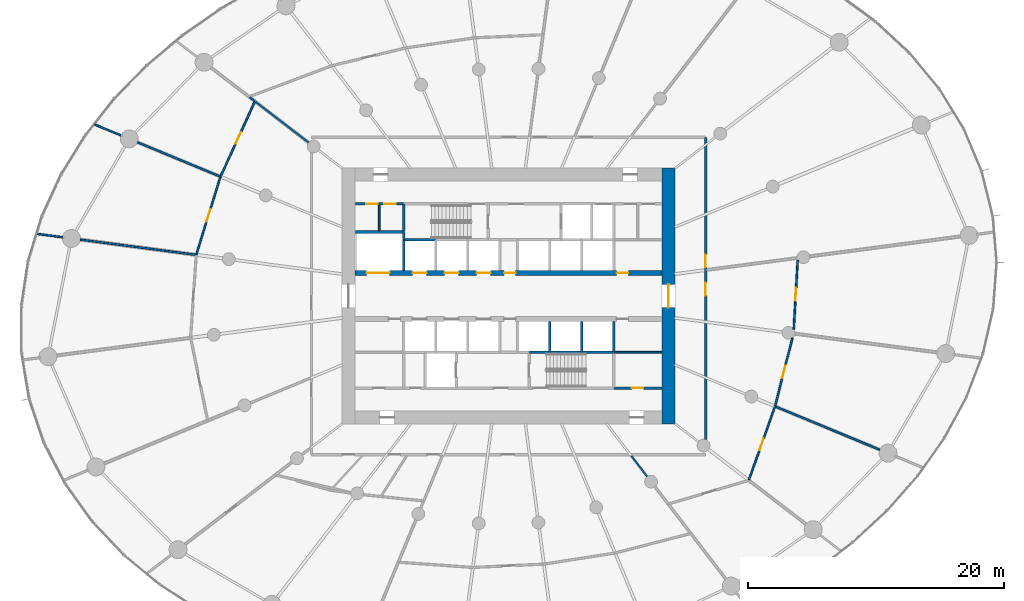
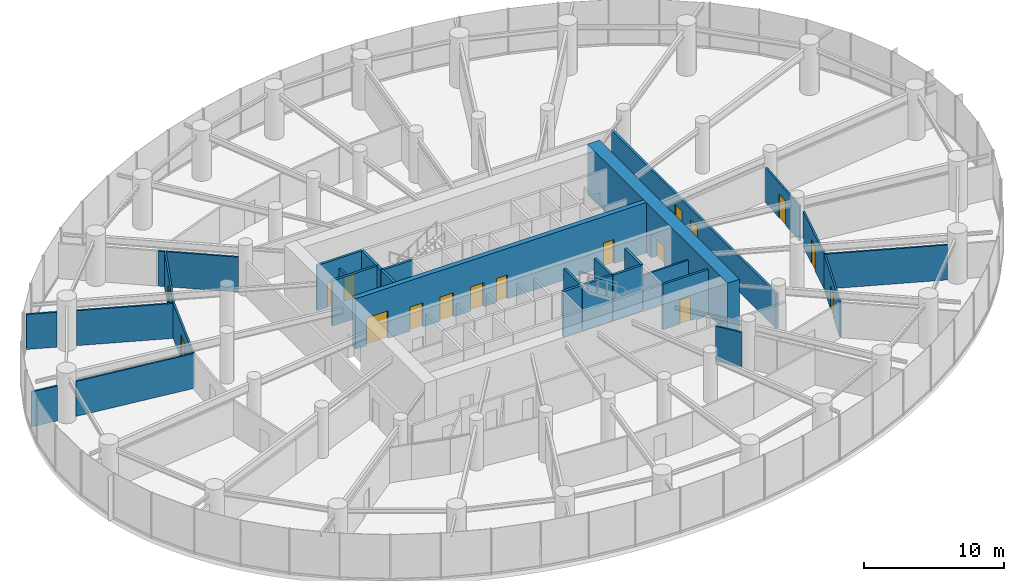
# One storey, part 14 of 19: 31 walls, 17 doors, 17 openings.
"""IFC4 building model written with IfcOpenShell, lengths in metres."""

from ifc_helpers import new_model, si_unit, direction, frame, frame_2d, origin, place, context, subcontext, project, spatial, rectangle, extrude, source, transform, mapped, material, layer, layer_set, type_object, element, fill, save


model = new_model("IFC4")

# Units and contexts
model_context = context("Model", 3, precision=1e-05, world=origin(), true_north=direction((0.0, 1.0)))
body_context = subcontext(model_context, "Body", "Model", "MODEL_VIEW")
ifc_project = project(units=[si_unit("LENGTHUNIT", "METRE"), si_unit("AREAUNIT", "SQUARE_METRE"), si_unit("VOLUMEUNIT", "CUBIC_METRE"), si_unit("PLANEANGLEUNIT", "RADIAN"), si_unit("MASSUNIT", "GRAM", prefix="KILO")], contexts=[model_context])

# Site, building, storey
site_placement = place(None, origin())
site = spatial("IfcSite", under=ifc_project, at=site_placement, CompositionType="ELEMENT")
building_placement = place(site_placement, origin())
building = spatial("IfcBuilding", under=site, at=building_placement, Name="Spindrift Exchange Tower", CompositionType="ELEMENT")
storey_placement = place(building_placement, frame((0.0, 0.0, 53.39990234375)))
storey = spatial("IfcBuildingStorey", under=building, at=storey_placement, Name="L12", CompositionType="ELEMENT", Elevation=53.39990234375)

# Wall, opening, door
ifc_material_1 = material(Name="Concrete 80 MPa", Category="concrete")
ifc_layer_1 = layer(ifc_material_1, 1.0)
ifc_layer_set_1 = layer_set([ifc_layer_1], Name="RC Core Wall 1000 Concrete 80 MPa")
wall_type_1 = type_object("IfcWallType", Name="RC Core Wall 1000 Concrete 80 MPa", PredefinedType="SHEAR", material=ifc_layer_set_1)
wall_1_placement = place(storey_placement, frame((64.5, 38.0, 0.0), z_axis=(0.0, 0.0, 1.0), x_axis=(0.0, 1.0, 0.0)))
wall_1 = element("IfcWall", 1, at=wall_1_placement, inside=storey, type_object=wall_type_1, Name="Core wall E L12", PredefinedType="SHEAR", context=body_context, shape_type="SweptSolid", body=[
    extrude(rectangle(XDim=20.0, YDim=1.0, at=frame_2d((10.0, 0.0))), origin(), (0.0, 0.0, 1.0), 4.400146484375),
])
opening_1_placement = place(wall_1_placement, frame((9.10009765625, 0.0, 0.0)))
opening_1 = element("IfcOpeningElement", 2, at=opening_1_placement, cuts=wall_1, Name="Opening L12-D2", PredefinedType="OPENING", context=body_context, shape_type="SweptSolid", body=[
    extrude(rectangle(XDim=1.800048828125, YDim=2.10009765625, at=frame_2d((0.89990234375, 1.050048828125))), frame((0.0, 0.510009765625, 0.0), z_axis=(0.0, -1.0, 0.0), x_axis=(1.0, 0.0, 0.0)), (0.0, 0.0, 1.0), 1.02001953125),
])
ifc_material_2 = material(Name="Timber-core fire door", Category="wood")
door_type_1 = type_object("IfcDoorType", Name="DR-LOBBY-1800", OperationType="NOTDEFINED", PredefinedType="DOOR", material=ifc_material_2)
shared_shape_1 = source(origin(), body_context, "Body", "SweptSolid", [
    extrude(rectangle(XDim=1.800048828125, YDim=2.10009765625, at=frame_2d((0.89990234375, 1.050048828125))), frame((0.0, 0.02490234375, 0.0), z_axis=(0.0, -1.0, 0.0), x_axis=(1.0, 0.0, 0.0)), (0.0, 0.0, 1.0), 0.050048828125),
])
door_1_placement = place(opening_1_placement, origin())
door_1 = element("IfcDoor", 3, at=door_1_placement, inside=storey, type_object=door_type_1, Name="L12 Lobby door 2", OperationType="SINGLE_SWING_LEFT", OverallHeight=2.10009765625, OverallWidth=1.800048828125, PredefinedType="DOOR", context=body_context, shape_type="MappedRepresentation", body=[
    mapped(shared_shape_1, transform((0.0, 0.0, 0.0), scale=1.0)),
])
fill(opening_1, door_1)

# Wall, openings, doors
ifc_layer_2 = layer(ifc_material_1, 0.39990234375)
ifc_layer_set_2 = layer_set([ifc_layer_2], Name="RC Spine Wall 400 Concrete 80 MPa")
wall_type_2 = type_object("IfcWallType", Name="RC Spine Wall 400 Concrete 80 MPa", PredefinedType="SHEAR", material=ifc_layer_set_2)
wall_2_placement = place(storey_placement, frame((40.0, 49.800048828125, 0.0), z_axis=(0.0, 0.0, 1.0), x_axis=(1.0, 0.0, 0.0)))
wall_2 = element("IfcWall", 4, at=wall_2_placement, inside=storey, type_object=wall_type_2, Name="Core spine wall N L12", PredefinedType="SHEAR", context=body_context, shape_type="SweptSolid", body=[
    extrude(rectangle(XDim=24.0, YDim=0.39990234375, at=frame_2d((12.0, 0.0))), origin(), (0.0, 0.0, 1.0), 4.400146484375),
])
opening_2_placement = place(wall_2_placement, frame((4.5, 0.0, 0.0)))
opening_2 = element("IfcOpeningElement", 5, at=opening_2_placement, cuts=wall_2, Name="Opening L12-D3", PredefinedType="OPENING", context=body_context, shape_type="SweptSolid", body=[
    extrude(rectangle(XDim=1.10009765625, YDim=2.10009765625, at=frame_2d((0.550048828125, 1.050048828125))), frame((0.0, 0.2099609375, 0.0), z_axis=(0.0, -1.0, 0.0), x_axis=(1.0, 0.0, 0.0)), (0.0, 0.0, 1.0), 0.419921875),
])
opening_3_placement = place(wall_2_placement, frame((7.0, 0.0, 0.0)))
opening_3 = element("IfcOpeningElement", 6, at=opening_3_placement, cuts=wall_2, Name="Opening L12-D4", PredefinedType="OPENING", context=body_context, shape_type="SweptSolid", body=[
    extrude(rectangle(XDim=1.10009765625, YDim=2.10009765625, at=frame_2d((0.550048828125, 1.050048828125))), frame((0.0, 0.2099609375, 0.0), z_axis=(0.0, -1.0, 0.0), x_axis=(1.0, 0.0, 0.0)), (0.0, 0.0, 1.0), 0.419921875),
])
opening_4_placement = place(wall_2_placement, frame((9.5, 0.0, 0.0)))
opening_4 = element("IfcOpeningElement", 7, at=opening_4_placement, cuts=wall_2, Name="Opening L12-D5", PredefinedType="OPENING", context=body_context, shape_type="SweptSolid", body=[
    extrude(rectangle(XDim=1.10009765625, YDim=2.10009765625, at=frame_2d((0.550048828125, 1.050048828125))), frame((0.0, 0.2099609375, 0.0), z_axis=(0.0, -1.0, 0.0), x_axis=(1.0, 0.0, 0.0)), (0.0, 0.0, 1.0), 0.419921875),
])
opening_5_placement = place(wall_2_placement, frame((0.89990234375, 0.0, 0.0)))
opening_5 = element("IfcOpeningElement", 8, at=opening_5_placement, cuts=wall_2, Name="Opening L12-D12", PredefinedType="OPENING", context=body_context, shape_type="SweptSolid", body=[
    extrude(rectangle(XDim=1.800048828125, YDim=2.39990234375, at=frame_2d((0.89990234375, 1.199951171875))), frame((0.0, 0.2099609375, 0.0), z_axis=(0.0, -1.0, 0.0), x_axis=(1.0, 0.0, 0.0)), (0.0, 0.0, 1.0), 0.419921875),
])
opening_6_placement = place(wall_2_placement, frame((20.449951171875, 0.0, 0.0)))
opening_6 = element("IfcOpeningElement", 9, at=opening_6_placement, cuts=wall_2, Name="Opening L12-D50", PredefinedType="OPENING", context=body_context, shape_type="SweptSolid", body=[
    extrude(rectangle(XDim=0.89990234375, YDim=2.10009765625, at=frame_2d((0.449951171875, 1.050048828125))), frame((0.0, 0.2099609375, 0.0), z_axis=(0.0, -1.0, 0.0), x_axis=(1.0, 0.0, 0.0)), (0.0, 0.0, 1.0), 0.419921875),
])
opening_7_placement = place(wall_2_placement, frame((11.64990234375, 0.0, 0.0)))
opening_7 = element("IfcOpeningElement", 10, at=opening_7_placement, cuts=wall_2, Name="Opening L12-D55", PredefinedType="OPENING", context=body_context, shape_type="SweptSolid", body=[
    extrude(rectangle(XDim=0.89990234375, YDim=2.10009765625, at=frame_2d((0.449951171875, 1.050048828125))), frame((0.0, 0.2099609375, 0.0), z_axis=(0.0, -1.0, 0.0), x_axis=(1.0, 0.0, 0.0)), (0.0, 0.0, 1.0), 0.419921875),
])
ifc_material_3 = material(Name="Stainless steel landing door", Category="steel")
door_type_2 = type_object("IfcDoorType", Name="DR-LANDING-1100-SL", OperationType="DOUBLE_DOOR_SLIDING", PredefinedType="USERDEFINED", material=ifc_material_3)
shared_shape_2 = source(origin(), body_context, "Body", "SweptSolid", [
    extrude(rectangle(XDim=1.10009765625, YDim=2.10009765625, at=frame_2d((0.550048828125, 1.050048828125))), frame((0.0, 0.02490234375, 0.0), z_axis=(0.0, -1.0, 0.0), x_axis=(1.0, 0.0, 0.0)), (0.0, 0.0, 1.0), 0.050048828125),
])
door_2_placement = place(opening_2_placement, origin())
door_2 = element("IfcDoor", 11, at=door_2_placement, inside=storey, type_object=door_type_2, Name="L12 Lift landing door 3", ObjectType="LANDING DOOR", OperationType="DOUBLE_DOOR_SLIDING", OverallHeight=2.10009765625, OverallWidth=1.10009765625, PredefinedType="USERDEFINED", context=body_context, shape_type="MappedRepresentation", body=[
    mapped(shared_shape_2, transform((0.0, 0.0, 0.0), scale=1.0)),
])
fill(opening_2, door_2)
door_3_placement = place(opening_3_placement, origin())
door_3 = element("IfcDoor", 12, at=door_3_placement, inside=storey, type_object=door_type_2, Name="L12 Lift landing door 4", ObjectType="LANDING DOOR", OperationType="DOUBLE_DOOR_SLIDING", OverallHeight=2.10009765625, OverallWidth=1.10009765625, PredefinedType="USERDEFINED", context=body_context, shape_type="MappedRepresentation", body=[
    mapped(shared_shape_2, transform((0.0, 0.0, 0.0), scale=1.0)),
])
fill(opening_3, door_3)
door_4_placement = place(opening_4_placement, origin())
door_4 = element("IfcDoor", 13, at=door_4_placement, inside=storey, type_object=door_type_2, Name="L12 Lift landing door 5", ObjectType="LANDING DOOR", OperationType="DOUBLE_DOOR_SLIDING", OverallHeight=2.10009765625, OverallWidth=1.10009765625, PredefinedType="USERDEFINED", context=body_context, shape_type="MappedRepresentation", body=[
    mapped(shared_shape_2, transform((0.0, 0.0, 0.0), scale=1.0)),
])
fill(opening_4, door_4)
door_type_3 = type_object("IfcDoorType", Name="DR-LANDING-1800-SL", OperationType="DOUBLE_DOOR_SLIDING", PredefinedType="USERDEFINED", material=ifc_material_3)
shared_shape_3 = source(origin(), body_context, "Body", "SweptSolid", [
    extrude(rectangle(XDim=1.800048828125, YDim=2.39990234375, at=frame_2d((0.89990234375, 1.199951171875))), frame((0.0, 0.02490234375, 0.0), z_axis=(0.0, -1.0, 0.0), x_axis=(1.0, 0.0, 0.0)), (0.0, 0.0, 1.0), 0.050048828125),
])
door_5_placement = place(opening_5_placement, origin())
door_5 = element("IfcDoor", 14, at=door_5_placement, inside=storey, type_object=door_type_3, Name="L12 Lift landing door 12", ObjectType="LANDING DOOR", OperationType="DOUBLE_DOOR_SLIDING", OverallHeight=2.39990234375, OverallWidth=1.800048828125, PredefinedType="USERDEFINED", context=body_context, shape_type="MappedRepresentation", body=[
    mapped(shared_shape_3, transform((0.0, 0.0, 0.0), scale=1.0)),
])
fill(opening_5, door_5)
ifc_material_4 = material(Name="Steel access door", Category="steel")
door_type_4 = type_object("IfcDoorType", Name="DR-RISER-900", OperationType="NOTDEFINED", PredefinedType="DOOR", material=ifc_material_4)
shared_shape_4 = source(origin(), body_context, "Body", "SweptSolid", [
    extrude(rectangle(XDim=0.89990234375, YDim=2.10009765625, at=frame_2d((0.449951171875, 1.050048828125))), frame((0.0, 0.02490234375, 0.0), z_axis=(0.0, -1.0, 0.0), x_axis=(1.0, 0.0, 0.0)), (0.0, 0.0, 1.0), 0.050048828125),
])
door_6_placement = place(opening_6_placement, origin())
door_6 = element("IfcDoor", 15, at=door_6_placement, inside=storey, type_object=door_type_4, Name="L12 Riser door 50", OperationType="SINGLE_SWING_LEFT", OverallHeight=2.10009765625, OverallWidth=0.89990234375, PredefinedType="DOOR", context=body_context, shape_type="MappedRepresentation", body=[
    mapped(shared_shape_4, transform((0.0, 0.0, 0.0), scale=1.0)),
])
fill(opening_6, door_6)
door_7_placement = place(opening_7_placement, origin())
door_7 = element("IfcDoor", 16, at=door_7_placement, inside=storey, type_object=door_type_4, Name="L12 Riser door 55", OperationType="SINGLE_SWING_RIGHT", OverallHeight=2.10009765625, OverallWidth=0.89990234375, PredefinedType="DOOR", context=body_context, shape_type="MappedRepresentation", body=[
    mapped(shared_shape_4, transform((0.0, 0.0, 0.0), scale=1.0)),
])
fill(opening_7, door_7)

ifc_material_5 = material(Name="Fire-rated plasterboard partition", Category="gypsum")
ifc_layer_3 = layer(ifc_material_5, 0.179931640625)
ifc_layer_set_3 = layer_set([ifc_layer_3], Name="W-CORR-180")
wall_type_3 = type_object("IfcWallType", Name="W-CORR-180", PredefinedType="PARTITIONING", material=ifc_layer_set_3)
wall_3_placement = place(storey_placement, frame((67.39990234375, 60.3701171875, 0.0), z_axis=(0.0, 0.0, 1.0), x_axis=(0.0, -1.0, 0.0)))
wall_3 = element("IfcWall", 17, at=wall_3_placement, inside=storey, type_object=wall_type_3, Name="L12 Partition wall 59", PredefinedType="PARTITIONING", context=body_context, shape_type="SweptSolid", body=[
    extrude(rectangle(XDim=23.58251953125, YDim=0.179931640625, at=frame_2d((11.791259765625, 0.0))), origin(), (0.0, 0.0, 1.0), 3.050048828125),
])
opening_8_placement = place(wall_3_placement, frame((11.33251953125, 0.0, 0.0)))
opening_8 = element("IfcOpeningElement", 18, at=opening_8_placement, cuts=wall_3, Name="Opening L12-D30", PredefinedType="OPENING", context=body_context, shape_type="SweptSolid", body=[
    extrude(rectangle(XDim=1.0, YDim=2.10009765625, at=frame_2d((0.5, 1.050048828125))), frame((0.0, 0.099853515625, 0.0), z_axis=(0.0, -1.0, 0.0), x_axis=(1.0, 0.0, 0.0)), (0.0, 0.0, 1.0), 0.199951171875),
])
opening_9_placement = place(wall_3_placement, frame((9.132568359375, 0.0, 0.0)))
opening_9 = element("IfcOpeningElement", 19, at=opening_9_placement, cuts=wall_3, Name="Opening L12-D35", PredefinedType="OPENING", context=body_context, shape_type="SweptSolid", body=[
    extrude(rectangle(XDim=1.0, YDim=2.10009765625, at=frame_2d((0.5, 1.050048828125))), frame((0.0, 0.099853515625, 0.0), z_axis=(0.0, -1.0, 0.0), x_axis=(1.0, 0.0, 0.0)), (0.0, 0.0, 1.0), 0.199951171875),
])
door_type_5 = type_object("IfcDoorType", Name="DR-ROOM-1000", OperationType="NOTDEFINED", PredefinedType="DOOR", material=ifc_material_2)
shared_shape_5 = source(origin(), body_context, "Body", "SweptSolid", [
    extrude(rectangle(XDim=1.0, YDim=2.10009765625, at=frame_2d((0.5, 1.050048828125))), frame((0.0, 0.02490234375, 0.0), z_axis=(0.0, -1.0, 0.0), x_axis=(1.0, 0.0, 0.0)), (0.0, 0.0, 1.0), 0.050048828125),
])
door_8_placement = place(opening_8_placement, origin())
door_8 = element("IfcDoor", 20, at=door_8_placement, inside=storey, type_object=door_type_5, Name="L12 Door 30", OperationType="SINGLE_SWING_LEFT", OverallHeight=2.10009765625, OverallWidth=1.0, PredefinedType="DOOR", context=body_context, shape_type="MappedRepresentation", body=[
    mapped(shared_shape_5, transform((0.0, 0.0, 0.0), scale=1.0)),
])
fill(opening_8, door_8)
door_9_placement = place(opening_9_placement, origin())
door_9 = element("IfcDoor", 21, at=door_9_placement, inside=storey, type_object=door_type_5, Name="L12 Door 35", OperationType="SINGLE_SWING_RIGHT", OverallHeight=2.10009765625, OverallWidth=1.0, PredefinedType="DOOR", context=body_context, shape_type="MappedRepresentation", body=[
    mapped(shared_shape_5, transform((0.0, 0.0, 0.0), scale=1.0)),
])
fill(opening_9, door_9)

wall_4_placement = place(storey_placement, frame((43.77001953125, 55.199951171875, 0.0), z_axis=(0.0, 0.0, 1.0), x_axis=(-1.0, 0.0, 0.0)))
wall_4 = element("IfcWall", 22, at=wall_4_placement, inside=storey, type_object=wall_type_3, Name="L12 Partition wall 62", PredefinedType="PARTITIONING", context=body_context, shape_type="SweptSolid", body=[
    extrude(rectangle(XDim=3.75, YDim=0.179931640625, at=frame_2d((1.875, 0.0))), origin(), (0.0, 0.0, 1.0), 3.9501953125),
])
opening_10_placement = place(wall_4_placement, frame((2.0, 0.0, 0.0)))
opening_10 = element("IfcOpeningElement", 23, at=opening_10_placement, cuts=wall_4, Name="Opening L12-D46", PredefinedType="OPENING", context=body_context, shape_type="SweptSolid", body=[
    extrude(rectangle(XDim=0.89990234375, YDim=2.10009765625, at=frame_2d((0.449951171875, 1.050048828125))), frame((0.0, 0.099853515625, 0.0), z_axis=(0.0, -1.0, 0.0), x_axis=(1.0, 0.0, 0.0)), (0.0, 0.0, 1.0), 0.199951171875),
])
opening_11_placement = place(wall_4_placement, frame((0.60009765625, 0.0, 0.0)))
opening_11 = element("IfcOpeningElement", 24, at=opening_11_placement, cuts=wall_4, Name="Opening L12-D47", PredefinedType="OPENING", context=body_context, shape_type="SweptSolid", body=[
    extrude(rectangle(XDim=0.89990234375, YDim=2.10009765625, at=frame_2d((0.449951171875, 1.050048828125))), frame((0.0, 0.099853515625, 0.0), z_axis=(0.0, -1.0, 0.0), x_axis=(1.0, 0.0, 0.0)), (0.0, 0.0, 1.0), 0.199951171875),
])
door_10_placement = place(opening_10_placement, origin())
door_10 = element("IfcDoor", 25, at=door_10_placement, inside=storey, type_object=door_type_4, Name="L12 Riser door 46", OperationType="SINGLE_SWING_LEFT", OverallHeight=2.10009765625, OverallWidth=0.89990234375, PredefinedType="DOOR", context=body_context, shape_type="MappedRepresentation", body=[
    mapped(shared_shape_4, transform((0.0, 0.0, 0.0), scale=1.0)),
])
fill(opening_10, door_10)
door_11_placement = place(opening_11_placement, origin())
door_11 = element("IfcDoor", 26, at=door_11_placement, inside=storey, type_object=door_type_4, Name="L12 Riser door 47", OperationType="SINGLE_SWING_RIGHT", OverallHeight=2.10009765625, OverallWidth=0.89990234375, PredefinedType="DOOR", context=body_context, shape_type="MappedRepresentation", body=[
    mapped(shared_shape_4, transform((0.0, 0.0, 0.0), scale=1.0)),
])
fill(opening_11, door_11)

# Wall, opening, door
wall_5_placement = place(storey_placement, frame((60.22998046875, 40.800048828125, 0.0), z_axis=(0.0, 0.0, 1.0), x_axis=(1.0, 0.0, 0.0)))
wall_5 = element("IfcWall", 27, at=wall_5_placement, inside=storey, type_object=wall_type_3, Name="L12 Partition wall 63", PredefinedType="PARTITIONING", context=body_context, shape_type="SweptSolid", body=[
    extrude(rectangle(XDim=3.75, YDim=0.179931640625, at=frame_2d((1.875, 0.0))), origin(), (0.0, 0.0, 1.0), 3.9501953125),
])
opening_12_placement = place(wall_5_placement, frame((1.39990234375, 0.0, 0.0)))
opening_12 = element("IfcOpeningElement", 28, at=opening_12_placement, cuts=wall_5, Name="Opening L12-D53", PredefinedType="OPENING", context=body_context, shape_type="SweptSolid", body=[
    extrude(rectangle(XDim=0.89990234375, YDim=2.10009765625, at=frame_2d((0.449951171875, 1.050048828125))), frame((0.0, 0.099853515625, 0.0), z_axis=(0.0, -1.0, 0.0), x_axis=(1.0, 0.0, 0.0)), (0.0, 0.0, 1.0), 0.199951171875),
])
door_12_placement = place(opening_12_placement, origin())
door_12 = element("IfcDoor", 29, at=door_12_placement, inside=storey, type_object=door_type_4, Name="L12 Riser door 53", OperationType="SINGLE_SWING_RIGHT", OverallHeight=2.10009765625, OverallWidth=0.89990234375, PredefinedType="DOOR", context=body_context, shape_type="MappedRepresentation", body=[
    mapped(shared_shape_4, transform((0.0, 0.0, 0.0), scale=1.0)),
])
fill(opening_12, door_12)

# Walls
ifc_layer_4 = layer(ifc_material_5, 0.139892578125)
ifc_layer_set_4 = layer_set([ifc_layer_4], Name="W-PART-140")
wall_type_4 = type_object("IfcWallType", Name="W-PART-140", PredefinedType="PARTITIONING", material=ifc_layer_set_4)
wall_6_placement = place(storey_placement, frame((27.58984375, 51.213623046875, 0.0), z_axis=(0.0, 0.0, 1.0), x_axis=(-0.991443735441, 0.13053474424, 0.0)))
element("IfcWall", 30, at=wall_6_placement, inside=storey, type_object=wall_type_4, Name="L12 Partition wall 70", PredefinedType="PARTITIONING", context=body_context, shape_type="SweptSolid", body=[
    extrude(rectangle(XDim=9.130859375, YDim=0.139892578125, at=frame_2d((4.5654296875, 0.0))), origin(), (0.0, 0.0, 1.0), 3.050048828125),
])
wall_7_placement = place(storey_placement, frame((72.8212890625, 39.37548828125, 0.0), z_axis=(0.0, 0.0, 1.0), x_axis=(0.923875203153, -0.382693884193, 0.0)))
element("IfcWall", 31, at=wall_7_placement, inside=storey, type_object=wall_type_4, Name="L12 Partition wall 72", PredefinedType="PARTITIONING", context=body_context, shape_type="SweptSolid", body=[
    extrude(rectangle(XDim=8.84521484375, YDim=0.139892578125, at=frame_2d((4.422607421875, 0.0))), origin(), (0.0, 0.0, 1.0), 3.050048828125),
])
wall_8_placement = place(storey_placement, frame((29.484375, 57.326416015625, 0.0), z_axis=(0.0, 0.0, 1.0), x_axis=(-0.923878476662, 0.3826859814, 0.0)))
element("IfcWall", 32, at=wall_8_placement, inside=storey, type_object=wall_type_4, Name="L12 Partition wall 75", PredefinedType="PARTITIONING", context=body_context, shape_type="SweptSolid", body=[
    extrude(rectangle(XDim=7.01123046875, YDim=0.139892578125, at=frame_2d((3.505615234375, 0.0))), origin(), (0.0, 0.0, 1.0), 3.050048828125),
])

# Wall, opening, door
wall_9_placement = place(storey_placement, frame((29.496826171875, 57.353515625, 0.0), z_axis=(0.0, 0.0, 1.0), x_axis=(0.416308805512, 0.909223283057, 0.0)))
wall_9 = element("IfcWall", 33, at=wall_9_placement, inside=storey, type_object=wall_type_4, Name="L12 Partition wall 81", PredefinedType="PARTITIONING", context=body_context, shape_type="SweptSolid", body=[
    extrude(rectangle(XDim=6.44091796875, YDim=0.139892578125, at=frame_2d((3.220458984375, 0.0))), origin(), (0.0, 0.0, 1.0), 3.050048828125),
])
opening_13_placement = place(wall_9_placement, frame((2.791015625, 0.0, 0.0)))
opening_13 = element("IfcOpeningElement", 34, at=opening_13_placement, cuts=wall_9, Name="Opening L12-D41", PredefinedType="OPENING", context=body_context, shape_type="SweptSolid", body=[
    extrude(rectangle(XDim=1.0, YDim=2.10009765625, at=frame_2d((0.5, 1.050048828125))), frame((0.0, 0.079833984375, 0.0), z_axis=(0.0, -1.0, 0.0), x_axis=(1.0, 0.0, 0.0)), (0.0, 0.0, 1.0), 0.159912109375),
])
door_13_placement = place(opening_13_placement, origin())
door_13 = element("IfcDoor", 35, at=door_13_placement, inside=storey, type_object=door_type_5, Name="L12 Door 41", OperationType="SINGLE_SWING_RIGHT", OverallHeight=2.10009765625, OverallWidth=1.0, PredefinedType="DOOR", context=body_context, shape_type="MappedRepresentation", body=[
    mapped(shared_shape_5, transform((0.0, 0.0, 0.0), scale=1.0)),
])
fill(opening_13, door_13)

wall_10_placement = place(storey_placement, frame((27.5986328125, 51.2421875, 0.0), z_axis=(0.0, 0.0, 1.0), x_axis=(0.296066096507, 0.95516745469, 0.0)))
wall_10 = element("IfcWall", 36, at=wall_10_placement, inside=storey, type_object=wall_type_4, Name="L12 Partition wall 82", PredefinedType="PARTITIONING", context=body_context, shape_type="SweptSolid", body=[
    extrude(rectangle(XDim=6.339599609375, YDim=0.139892578125, at=frame_2d((3.169921875, 0.0))), origin(), (0.0, 0.0, 1.0), 3.050048828125),
])
opening_14_placement = place(wall_10_placement, frame((2.689453125, 0.0, 0.0)))
opening_14 = element("IfcOpeningElement", 37, at=opening_14_placement, cuts=wall_10, Name="Opening L12-D42", PredefinedType="OPENING", context=body_context, shape_type="SweptSolid", body=[
    extrude(rectangle(XDim=1.0, YDim=2.10009765625, at=frame_2d((0.5, 1.050048828125))), frame((0.0, 0.079833984375, 0.0), z_axis=(0.0, -1.0, 0.0), x_axis=(1.0, 0.0, 0.0)), (0.0, 0.0, 1.0), 0.159912109375),
])
door_14_placement = place(opening_14_placement, origin())
door_14 = element("IfcDoor", 38, at=door_14_placement, inside=storey, type_object=door_type_5, Name="L12 Door 42", OperationType="SINGLE_SWING_LEFT", OverallHeight=2.10009765625, OverallWidth=1.0, PredefinedType="DOOR", context=body_context, shape_type="MappedRepresentation", body=[
    mapped(shared_shape_5, transform((0.0, 0.0, 0.0), scale=1.0)),
])
fill(opening_14, door_14)

wall_11_placement = place(storey_placement, frame((72.798095703125, 39.309326171875, 0.0), z_axis=(0.0, 0.0, 1.0), x_axis=(-0.334820387554, -0.942281968456, 0.0)))
wall_11 = element("IfcWall", 39, at=wall_11_placement, inside=storey, type_object=wall_type_4, Name="L12 Partition wall 83", PredefinedType="PARTITIONING", context=body_context, shape_type="SweptSolid", body=[
    extrude(rectangle(XDim=6.031005859375, YDim=0.139892578125, at=frame_2d((3.015625, 0.0))), origin(), (0.0, 0.0, 1.0), 3.050048828125),
])
opening_15_placement = place(wall_11_placement, frame((2.5810546875, 0.0, 0.0)))
opening_15 = element("IfcOpeningElement", 40, at=opening_15_placement, cuts=wall_11, Name="Opening L12-D32", PredefinedType="OPENING", context=body_context, shape_type="SweptSolid", body=[
    extrude(rectangle(XDim=1.0, YDim=2.10009765625, at=frame_2d((0.5, 1.050048828125))), frame((0.0, 0.079833984375, 0.0), z_axis=(0.0, -1.0, 0.0), x_axis=(1.0, 0.0, 0.0)), (0.0, 0.0, 1.0), 0.159912109375),
])
door_15_placement = place(opening_15_placement, origin())
door_15 = element("IfcDoor", 41, at=door_15_placement, inside=storey, type_object=door_type_5, Name="L12 Door 32", OperationType="SINGLE_SWING_LEFT", OverallHeight=2.10009765625, OverallWidth=1.0, PredefinedType="DOOR", context=body_context, shape_type="MappedRepresentation", body=[
    mapped(shared_shape_5, transform((0.0, 0.0, 0.0), scale=1.0)),
])
fill(opening_15, door_15)

wall_12_placement = place(storey_placement, frame((74.17822265625, 44.727294921875, 0.0), z_axis=(0.0, 0.0, 1.0), x_axis=(-0.245735490717, -0.969336922129, 0.0)))
wall_12 = element("IfcWall", 42, at=wall_12_placement, inside=storey, type_object=wall_type_4, Name="L12 Partition wall 92", PredefinedType="PARTITIONING", context=body_context, shape_type="SweptSolid", body=[
    extrude(rectangle(XDim=5.4912109375, YDim=0.139892578125, at=frame_2d((2.74560546875, 0.0))), origin(), (0.0, 0.0, 1.0), 3.050048828125),
])
opening_16_placement = place(wall_12_placement, frame((2.2412109375, 0.0, 0.0)))
opening_16 = element("IfcOpeningElement", 43, at=opening_16_placement, cuts=wall_12, Name="Opening L12-D33", PredefinedType="OPENING", context=body_context, shape_type="SweptSolid", body=[
    extrude(rectangle(XDim=1.0, YDim=2.10009765625, at=frame_2d((0.5, 1.050048828125))), frame((0.0, 0.079833984375, 0.0), z_axis=(0.0, -1.0, 0.0), x_axis=(1.0, 0.0, 0.0)), (0.0, 0.0, 1.0), 0.159912109375),
])
door_16_placement = place(opening_16_placement, origin())
door_16 = element("IfcDoor", 44, at=door_16_placement, inside=storey, type_object=door_type_5, Name="L12 Door 33", OperationType="SINGLE_SWING_RIGHT", OverallHeight=2.10009765625, OverallWidth=1.0, PredefinedType="DOOR", context=body_context, shape_type="MappedRepresentation", body=[
    mapped(shared_shape_5, transform((0.0, 0.0, 0.0), scale=1.0)),
])
fill(opening_16, door_16)

wall_13_placement = place(storey_placement, frame((74.589111328125, 50.793212890625, 0.0), z_axis=(0.0, 0.0, 1.0), x_axis=(-0.056551571082, -0.998399679391, 0.0)))
wall_13 = element("IfcWall", 45, at=wall_13_placement, inside=storey, type_object=wall_type_4, Name="L12 Partition wall 94", PredefinedType="PARTITIONING", context=body_context, shape_type="SweptSolid", body=[
    extrude(rectangle(XDim=5.400634765625, YDim=0.139892578125, at=frame_2d((2.7001953125, 0.0))), origin(), (0.0, 0.0, 1.0), 3.050048828125),
])
opening_17_placement = place(wall_13_placement, frame((2.150634765625, 0.0, 0.0)))
opening_17 = element("IfcOpeningElement", 46, at=opening_17_placement, cuts=wall_13, Name="Opening L12-D34", PredefinedType="OPENING", context=body_context, shape_type="SweptSolid", body=[
    extrude(rectangle(XDim=1.0, YDim=2.10009765625, at=frame_2d((0.5, 1.050048828125))), frame((0.0, 0.079833984375, 0.0), z_axis=(0.0, -1.0, 0.0), x_axis=(1.0, 0.0, 0.0)), (0.0, 0.0, 1.0), 0.159912109375),
])
door_17_placement = place(opening_17_placement, origin())
door_17 = element("IfcDoor", 47, at=door_17_placement, inside=storey, type_object=door_type_5, Name="L12 Door 34", OperationType="SINGLE_SWING_LEFT", OverallHeight=2.10009765625, OverallWidth=1.0, PredefinedType="DOOR", context=body_context, shape_type="MappedRepresentation", body=[
    mapped(shared_shape_5, transform((0.0, 0.0, 0.0), scale=1.0)),
])
fill(opening_17, door_17)

# Walls
wall_14_placement = place(storey_placement, frame((36.367431640625, 59.995361328125, 0.0), z_axis=(0.0, 0.0, 1.0), x_axis=(-0.793353550187, 0.608761155467, 0.0)))
element("IfcWall", 48, at=wall_14_placement, inside=storey, type_object=wall_type_4, Name="L12 Partition wall 96", PredefinedType="PARTITIONING", context=body_context, shape_type="SweptSolid", body=[
    extrude(rectangle(XDim=5.208251953125, YDim=0.139892578125, at=frame_2d((2.60400390625, 0.0))), origin(), (0.0, 0.0, 1.0), 3.050048828125),
])
wall_15_placement = place(storey_placement, frame((60.22998046875, 43.60009765625, 0.0), z_axis=(0.0, 0.0, 1.0), x_axis=(1.0, 0.0, 0.0)))
element("IfcWall", 49, at=wall_15_placement, inside=storey, type_object=wall_type_4, Name="L12 Partition wall 104", PredefinedType="PARTITIONING", context=body_context, shape_type="SweptSolid", body=[
    extrude(rectangle(XDim=3.75, YDim=0.139892578125, at=frame_2d((1.875, 0.0))), origin(), (0.0, 0.0, 1.0), 3.050048828125),
])
wall_16_placement = place(storey_placement, frame((21.7041015625, 60.549072265625, 0.0), z_axis=(0.0, 0.0, 1.0), x_axis=(-0.923899948789, 0.382634139392, 0.0)))
element("IfcWall", 50, at=wall_16_placement, inside=storey, type_object=wall_type_4, Name="L12 Partition wall 113", PredefinedType="PARTITIONING", context=body_context, shape_type="SweptSolid", body=[
    extrude(rectangle(XDim=2.214599609375, YDim=0.139892578125, at=frame_2d((1.107421875, 0.0))), origin(), (0.0, 0.0, 1.0), 3.050048828125),
])
wall_17_placement = place(storey_placement, frame((41.89990234375, 53.10009765625, 0.0), z_axis=(0.0, 0.0, 1.0), x_axis=(0.0, 1.0, 0.0)))
element("IfcWall", 51, at=wall_17_placement, inside=storey, type_object=wall_type_4, Name="L12 Partition wall 114", PredefinedType="PARTITIONING", context=body_context, shape_type="SweptSolid", body=[
    extrude(rectangle(XDim=2.010009765625, YDim=0.139892578125, at=frame_2d((1.0048828125, 0.0))), origin(), (0.0, 0.0, 1.0), 3.050048828125),
])
wall_18_placement = place(storey_placement, frame((61.583984375, 35.510009765625, 0.0), z_axis=(0.0, 0.0, 1.0), x_axis=(0.608727763541, -0.793379171578, 0.0)))
element("IfcWall", 52, at=wall_18_placement, inside=storey, type_object=wall_type_4, Name="L12 Partition wall 116", PredefinedType="PARTITIONING", context=body_context, shape_type="SweptSolid", body=[
    extrude(rectangle(XDim=2.04150390625, YDim=0.139892578125, at=frame_2d((1.020751953125, 0.0))), origin(), (0.0, 0.0, 1.0), 3.050048828125),
])
wall_19_placement = place(storey_placement, frame((17.140625, 52.58935546875, 0.0), z_axis=(0.0, 0.0, 1.0), x_axis=(-0.991443960057, 0.130533038219, 0.0)))
element("IfcWall", 53, at=wall_19_placement, inside=storey, type_object=wall_type_4, Name="L12 Partition wall 118", PredefinedType="PARTITIONING", context=body_context, shape_type="SweptSolid", body=[
    extrude(rectangle(XDim=2.010498046875, YDim=0.139892578125, at=frame_2d((1.00537109375, 0.0))), origin(), (0.0, 0.0, 1.0), 3.050048828125),
])
wall_20_placement = place(storey_placement, frame((32.154541015625, 63.227783203125, 0.0), z_axis=(0.0, 0.0, 1.0), x_axis=(-0.793176766219, 0.608991475745, 0.0)))
element("IfcWall", 54, at=wall_20_placement, inside=storey, type_object=wall_type_4, Name="L12 Partition wall 135", PredefinedType="PARTITIONING", context=body_context, shape_type="SweptSolid", body=[
    extrude(rectangle(XDim=0.475830078125, YDim=0.139892578125, at=frame_2d((0.23779296875, 0.0))), origin(), (0.0, 0.0, 1.0), 3.050048828125),
])
ifc_material_6 = material(Name="Concrete 40 MPa", Category="concrete")
ifc_layer_5 = layer(ifc_material_6, 0.199951171875)
ifc_layer_set_5 = layer_set([ifc_layer_5], Name="W-SHAFT-200-LB")
wall_type_5 = type_object("IfcWallType", Name="W-SHAFT-200-LB", PredefinedType="SOLIDWALL", material=ifc_layer_set_5)
wall_21_placement = place(storey_placement, frame((43.800048828125, 53.0, 0.0), z_axis=(0.0, 0.0, 1.0), x_axis=(-1.0, 0.0, 0.0)))
element("IfcWall", 55, at=wall_21_placement, inside=storey, type_object=wall_type_5, Name="L12 Shaft wall 5", PredefinedType="SOLIDWALL", context=body_context, shape_type="SweptSolid", body=[
    extrude(rectangle(XDim=3.780029296875, YDim=0.199951171875, at=frame_2d((1.89013671875, 0.0))), origin(), (0.0, 0.0, 1.0), 3.9501953125),
])
for number, where, z_axis, x_axis, name in (
    (56, (46.300048828125, 52.39990234375, 0.0), (0.0, 0.0, 1.0), (-1.0, 0.0, 0.0), "L12 Shaft wall 15"),
    (57, (55.199951171875, 43.60009765625, 0.0), (0.0, 0.0, 1.0), (1.0, 0.0, 0.0), "L12 Shaft wall 19"),
):
    element("IfcWall", number, at=place(storey_placement, frame(where, z_axis=z_axis, x_axis=x_axis)), inside=storey, type_object=wall_type_5, Name=name, PredefinedType="SOLIDWALL", context=body_context, shape_type="SweptSolid", body=[
        extrude(rectangle(XDim=2.5, YDim=0.199951171875, at=frame_2d((1.25, 0.0))), origin(), (0.0, 0.0, 1.0), 3.9501953125),
    ])
wall_22_placement = place(storey_placement, frame((57.72998046875, 43.60009765625, 0.0), z_axis=(0.0, 0.0, 1.0), x_axis=(1.0, 0.0, 0.0)))
element("IfcWall", 58, at=wall_22_placement, inside=storey, type_object=wall_type_5, Name="L12 Shaft wall 20", PredefinedType="SOLIDWALL", context=body_context, shape_type="SweptSolid", body=[
    extrude(rectangle(XDim=2.43994140625, YDim=0.199951171875, at=frame_2d((1.219970703125, 0.0))), origin(), (0.0, 0.0, 1.0), 3.9501953125),
])
for number, where, z_axis, x_axis, name in (
    (59, (43.800048828125, 52.3701171875, 0.0), (0.0, 0.0, 1.0), (0.0, -1.0, 0.0), "L12 Shaft wall 24"),
    (60, (55.199951171875, 43.6298828125, 0.0), (0.0, 0.0, 1.0), (0.0, 1.0, 0.0), "L12 Shaft wall 33"),
    (61, (57.699951171875, 43.6298828125, 0.0), (0.0, 0.0, 1.0), (0.0, 1.0, 0.0), "L12 Shaft wall 35"),
    (62, (60.199951171875, 43.6298828125, 0.0), (0.0, 0.0, 1.0), (0.0, 1.0, 0.0), "L12 Shaft wall 37"),
):
    element("IfcWall", number, at=place(storey_placement, frame(where, z_axis=z_axis, x_axis=x_axis)), inside=storey, type_object=wall_type_5, Name=name, PredefinedType="SOLIDWALL", context=body_context, shape_type="SweptSolid", body=[
        extrude(rectangle(XDim=2.360107421875, YDim=0.199951171875, at=frame_2d((1.18017578125, 0.0))), origin(), (0.0, 0.0, 1.0), 3.9501953125),
    ])
wall_23_placement = place(storey_placement, frame((43.800048828125, 55.169921875, 0.0), z_axis=(0.0, 0.0, 1.0), x_axis=(0.0, -1.0, 0.0)))
element("IfcWall", 63, at=wall_23_placement, inside=storey, type_object=wall_type_5, Name="L12 Shaft wall 39", PredefinedType="SOLIDWALL", context=body_context, shape_type="SweptSolid", body=[
    extrude(rectangle(XDim=2.139892578125, YDim=0.199951171875, at=frame_2d((1.06982421875, 0.0))), origin(), (0.0, 0.0, 1.0), 3.9501953125),
])
wall_24_placement = place(storey_placement, frame((53.6298828125, 43.60009765625, 0.0), z_axis=(0.0, 0.0, 1.0), x_axis=(1.0, 0.0, 0.0)))
element("IfcWall", 64, at=wall_24_placement, inside=storey, type_object=wall_type_5, Name="L12 Shaft wall 46", PredefinedType="SOLIDWALL", context=body_context, shape_type="SweptSolid", body=[
    extrude(rectangle(XDim=1.5400390625, YDim=0.199951171875, at=frame_2d((0.77001953125, 0.0))), origin(), (0.0, 0.0, 1.0), 3.9501953125),
])
wall_25_placement = place(storey_placement, frame((43.800048828125, 52.429931640625, 0.0), z_axis=(0.0, 0.0, 1.0), x_axis=(0.0, 1.0, 0.0)))
element("IfcWall", 65, at=wall_25_placement, inside=storey, type_object=wall_type_5, Name="L12 Shaft wall 56", PredefinedType="SOLIDWALL", context=body_context, shape_type="SweptSolid", body=[
    extrude(rectangle(XDim=0.5400390625, YDim=0.199951171875, at=frame_2d((0.27001953125, 0.0))), origin(), (0.0, 0.0, 1.0), 3.9501953125),
])

save(model, "model.ifc")
